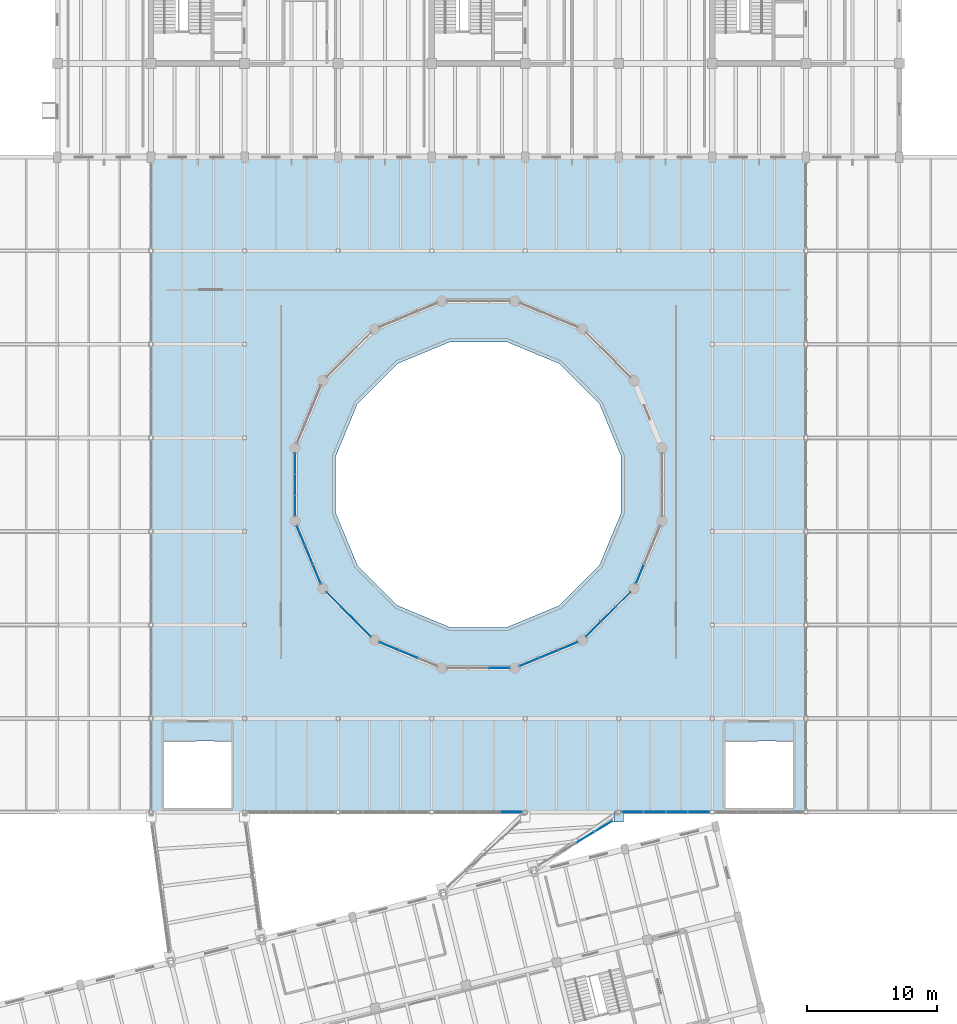
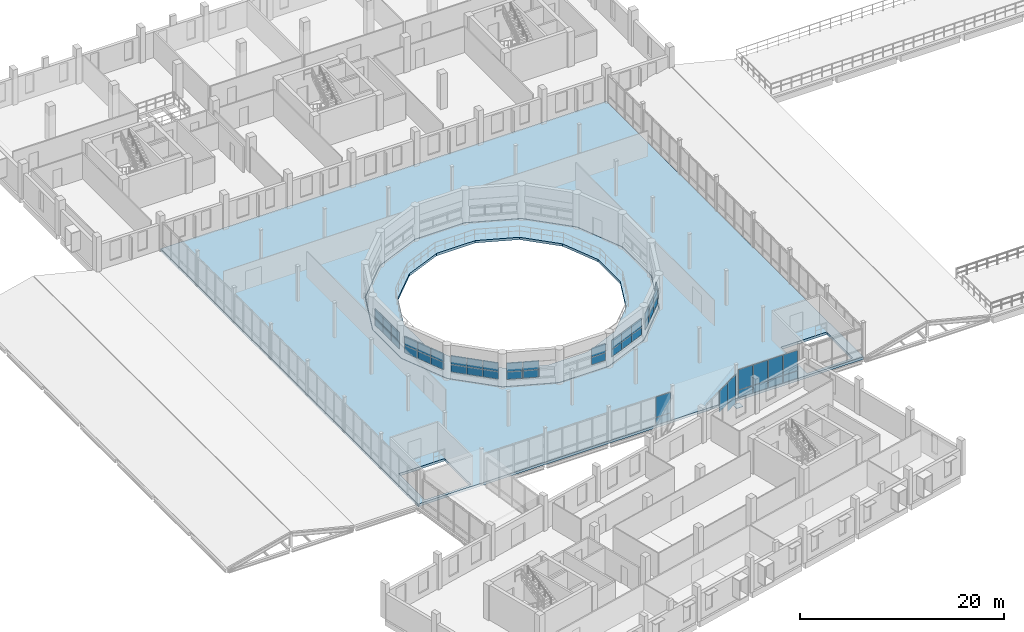
# One storey, part 40 of 63: 51 plates, 2 slabs, 11 elements without a shape of their own.
"""IFC4 building model written with IfcOpenShell, lengths in metres."""

from ifc_helpers import new_model, si_unit, direction, frame, frame_2d, origin, origin_2d, place, context, subcontext, project, spatial, polyline, rectangle, outline, extrude, material, layer, layer_set, type_object, element, aggregate, save


model = new_model("IFC4")

# Units and contexts
model_context = context("Model", 3, precision=1e-05, world=origin(), true_north=direction((0.0, 1.0)))
body_context = subcontext(model_context, "Body", "Model", "MODEL_VIEW")
ifc_project = project(units=[si_unit("LENGTHUNIT", "METRE"), si_unit("AREAUNIT", "SQUARE_METRE"), si_unit("VOLUMEUNIT", "CUBIC_METRE"), si_unit("PLANEANGLEUNIT", "RADIAN"), si_unit("MASSUNIT", "GRAM", prefix="KILO")], contexts=[model_context])

# Site, building, storey
site_placement = place(None, origin())
site = spatial("IfcSite", under=ifc_project, at=site_placement, CompositionType="ELEMENT")
building_placement = place(site_placement, origin())
building = spatial("IfcBuilding", under=site, at=building_placement, Name="Qiaolan Assembly House", CompositionType="ELEMENT")
storey_placement = place(building_placement, frame((0.0, 0.0, 14.39990234375)))
storey = spatial("IfcBuildingStorey", under=building, at=storey_placement, Name="L03", CompositionType="ELEMENT", Elevation=14.39990234375)

# Curtain wall, plates
ifc_material_1 = material(Name="Anodised bronze aluminium", Category="aluminium")
curtain_wall_type_1 = type_object("IfcCurtainWallType", Name="CW-BRIDGE-420", PredefinedType="NOTDEFINED", material=ifc_material_1)
curtain_wall_1_placement = place(storey_placement, origin())
curtain_wall_1 = element("IfcCurtainWall", 1, at=curtain_wall_1_placement, inside=storey, type_object=curtain_wall_type_1, Name="CW-03 Glazed Skybridge Curtain Wall EB L03 E", PredefinedType="NOTDEFINED")
ifc_material_2 = material(Name="Low-E double insulating glass", Category="glass")
ifc_layer_1 = layer(ifc_material_2, 0.030029296875)
ifc_layer_set_1 = layer_set([ifc_layer_1], Name="Low-E double insulating glass")
plate_type_1 = type_object("IfcPlateType", Name="CW-BRIDGE-420-PNL", PredefinedType="CURTAIN_PANEL", material=ifc_layer_set_1)
plate_1_placement = place(storey_placement, frame((78.701904296875, 35.30078125, 0.05615234375), z_axis=(0.0, 0.0, 1.0), x_axis=(-0.857069699362, -0.515200475965, 0.0)))
plate_1 = element("IfcPlate", 2, at=plate_1_placement, type_object=plate_type_1, Name="GL-04 glazing panel CW-BRIDGE-EB-L03-E-1", PredefinedType="CURTAIN_PANEL", context=body_context, shape_type="SweptSolid", body=[
    extrude(rectangle(XDim=1.578857421875, YDim=0.030029296875, at=frame_2d((0.78955078125, 0.0))), origin(), (0.0, 0.0, 1.0), 0.867919921875),
])
plate_2_placement = place(storey_placement, frame((78.701904296875, 35.30078125, 0.97607421875), z_axis=(0.0, 0.0, 1.0), x_axis=(-0.857069699362, -0.515200475965, 0.0)))
plate_2 = element("IfcPlate", 3, at=plate_2_placement, type_object=plate_type_1, Name="GL-04 glazing panel CW-BRIDGE-EB-L03-E-2", PredefinedType="CURTAIN_PANEL", context=body_context, shape_type="SweptSolid", body=[
    extrude(rectangle(XDim=1.578857421875, YDim=0.030029296875, at=frame_2d((0.78955078125, 0.0))), origin(), (0.0, 0.0, 1.0), 2.51806640625),
])
plate_3_placement = place(storey_placement, frame((77.29541015625, 34.455322265625, 0.97607421875), z_axis=(0.0, 0.0, 1.0), x_axis=(-0.857178991149, -0.515018618239, 0.0)))
plate_3 = element("IfcPlate", 4, at=plate_3_placement, type_object=plate_type_1, Name="GL-04 glazing panel CW-BRIDGE-EB-L03-E-4", PredefinedType="CURTAIN_PANEL", context=body_context, shape_type="SweptSolid", body=[
    extrude(rectangle(XDim=1.5791015625, YDim=0.030029296875, at=frame_2d((0.78955078125, 0.0))), origin(), (0.0, 0.0, 1.0), 2.51806640625),
])
aggregate(curtain_wall_1, [plate_1, plate_2, plate_3])

curtain_wall_type_2 = type_object("IfcCurtainWallType", Name="CW-DRUM-CLERESTORY", PredefinedType="NOTDEFINED", material=ifc_material_1)
curtain_wall_2_placement = place(storey_placement, origin())
curtain_wall_2 = element("IfcCurtainWall", 5, at=curtain_wall_2_placement, inside=storey, type_object=curtain_wall_type_2, Name="CW-06 Council Chamber Drum Clerestory Curtain Wall 8", PredefinedType="NOTDEFINED")
ifc_layer_2 = layer(ifc_material_2, 0.02392578125)
ifc_layer_set_2 = layer_set([ifc_layer_2], Name="Low-E double insulating glass")
plate_type_2 = type_object("IfcPlateType", Name="CW-DRUM-CLERESTORY-PNL", PredefinedType="CURTAIN_PANEL", material=ifc_layer_set_2)
plate_4_placement = place(storey_placement, frame((54.276611328125, 58.795654296875, 0.85107421875), z_axis=(0.0, 0.0, 1.0), x_axis=(0.0, 1.0, 0.0)))
plate_4 = element("IfcPlate", 6, at=plate_4_placement, type_object=plate_type_2, Name="GL-07 glazing panel CW-DRUM-CLER-07-1", PredefinedType="CURTAIN_PANEL", context=body_context, shape_type="SweptSolid", body=[
    extrude(rectangle(XDim=1.569580078125, YDim=0.02392578125, at=frame_2d((0.78466796875, 0.0))), origin(), (0.0, 0.0, 1.0), 0.8779296875),
])
plate_5_placement = place(storey_placement, frame((54.276611328125, 58.795654296875, 1.77099609375), z_axis=(0.0, 0.0, 1.0), x_axis=(0.0, 1.0, 0.0)))
plate_5 = element("IfcPlate", 7, at=plate_5_placement, type_object=plate_type_2, Name="GL-07 glazing panel CW-DRUM-CLER-07-2", PredefinedType="CURTAIN_PANEL", context=body_context, shape_type="SweptSolid", body=[
    extrude(rectangle(XDim=1.569580078125, YDim=0.02392578125, at=frame_2d((0.78466796875, 0.0))), origin(), (0.0, 0.0, 1.0), 1.078125),
])
plate_6_placement = place(storey_placement, frame((54.276611328125, 60.415283203125, 0.85107421875), z_axis=(0.0, 0.0, 1.0), x_axis=(0.0, 1.0, 0.0)))
plate_6 = element("IfcPlate", 8, at=plate_6_placement, type_object=plate_type_2, Name="GL-07 glazing panel CW-DRUM-CLER-07-3", PredefinedType="CURTAIN_PANEL", context=body_context, shape_type="SweptSolid", body=[
    extrude(rectangle(XDim=1.569580078125, YDim=0.02392578125, at=frame_2d((0.78466796875, 0.0))), origin(), (0.0, 0.0, 1.0), 0.8779296875),
])
plate_7_placement = place(storey_placement, frame((54.276611328125, 60.415283203125, 1.77099609375), z_axis=(0.0, 0.0, 1.0), x_axis=(0.0, 1.0, 0.0)))
plate_7 = element("IfcPlate", 9, at=plate_7_placement, type_object=plate_type_2, Name="GL-07 glazing panel CW-DRUM-CLER-07-4", PredefinedType="CURTAIN_PANEL", context=body_context, shape_type="SweptSolid", body=[
    extrude(rectangle(XDim=1.569580078125, YDim=0.02392578125, at=frame_2d((0.78466796875, 0.0))), origin(), (0.0, 0.0, 1.0), 1.078125),
])
plate_8_placement = place(storey_placement, frame((54.276611328125, 62.034912109375, 0.85107421875), z_axis=(0.0, 0.0, 1.0), x_axis=(0.0, 1.0, 0.0)))
plate_8 = element("IfcPlate", 10, at=plate_8_placement, type_object=plate_type_2, Name="GL-07 glazing panel CW-DRUM-CLER-07-5", PredefinedType="CURTAIN_PANEL", context=body_context, shape_type="SweptSolid", body=[
    extrude(rectangle(XDim=1.5693359375, YDim=0.02392578125, at=frame_2d((0.78466796875, 0.0))), origin(), (0.0, 0.0, 1.0), 0.8779296875),
])
plate_9_placement = place(storey_placement, frame((54.276611328125, 62.034912109375, 1.77099609375), z_axis=(0.0, 0.0, 1.0), x_axis=(0.0, 1.0, 0.0)))
plate_9 = element("IfcPlate", 11, at=plate_9_placement, type_object=plate_type_2, Name="GL-07 glazing panel CW-DRUM-CLER-07-6", PredefinedType="CURTAIN_PANEL", context=body_context, shape_type="SweptSolid", body=[
    extrude(rectangle(XDim=1.5693359375, YDim=0.02392578125, at=frame_2d((0.78466796875, 0.0))), origin(), (0.0, 0.0, 1.0), 1.078125),
])
aggregate(curtain_wall_2, [plate_4, plate_5, plate_6, plate_7, plate_8, plate_9])

curtain_wall_3_placement = place(storey_placement, origin())
curtain_wall_3 = element("IfcCurtainWall", 12, at=curtain_wall_3_placement, inside=storey, type_object=curtain_wall_type_2, Name="CW-06 Council Chamber Drum Clerestory Curtain Wall 9", PredefinedType="NOTDEFINED")
plate_10_placement = place(storey_placement, frame((56.27197265625, 53.573974609375, 0.85107421875), z_axis=(0.0, 0.0, 1.0), x_axis=(-0.382814295874, 0.923825316212, 0.0)))
plate_10 = element("IfcPlate", 13, at=plate_10_placement, type_object=plate_type_2, Name="GL-07 glazing panel CW-DRUM-CLER-08-1", PredefinedType="CURTAIN_PANEL", context=body_context, shape_type="SweptSolid", body=[
    extrude(rectangle(XDim=1.569580078125, YDim=0.02392578125, at=frame_2d((0.78466796875, 0.0))), origin(), (0.0, 0.0, 1.0), 0.8779296875),
])
plate_11_placement = place(storey_placement, frame((56.27197265625, 53.573974609375, 1.77099609375), z_axis=(0.0, 0.0, 1.0), x_axis=(-0.382814295874, 0.923825316212, 0.0)))
plate_11 = element("IfcPlate", 14, at=plate_11_placement, type_object=plate_type_2, Name="GL-07 glazing panel CW-DRUM-CLER-08-2", PredefinedType="CURTAIN_PANEL", context=body_context, shape_type="SweptSolid", body=[
    extrude(rectangle(XDim=1.569580078125, YDim=0.02392578125, at=frame_2d((0.78466796875, 0.0))), origin(), (0.0, 0.0, 1.0), 1.078125),
])
plate_12_placement = place(storey_placement, frame((55.652099609375, 55.070068359375, 0.85107421875), z_axis=(0.0, 0.0, 1.0), x_axis=(-0.382626535499, 0.923903097912, 0.0)))
plate_12 = element("IfcPlate", 15, at=plate_12_placement, type_object=plate_type_2, Name="GL-07 glazing panel CW-DRUM-CLER-08-3", PredefinedType="CURTAIN_PANEL", context=body_context, shape_type="SweptSolid", body=[
    extrude(rectangle(XDim=1.569580078125, YDim=0.02392578125, at=frame_2d((0.78466796875, 0.0))), origin(), (0.0, 0.0, 1.0), 0.8779296875),
])
plate_13_placement = place(storey_placement, frame((55.652099609375, 55.070068359375, 1.77099609375), z_axis=(0.0, 0.0, 1.0), x_axis=(-0.382626535499, 0.923903097912, 0.0)))
plate_13 = element("IfcPlate", 16, at=plate_13_placement, type_object=plate_type_2, Name="GL-07 glazing panel CW-DRUM-CLER-08-4", PredefinedType="CURTAIN_PANEL", context=body_context, shape_type="SweptSolid", body=[
    extrude(rectangle(XDim=1.569580078125, YDim=0.02392578125, at=frame_2d((0.78466796875, 0.0))), origin(), (0.0, 0.0, 1.0), 1.078125),
])
plate_14_placement = place(storey_placement, frame((55.0322265625, 56.56640625, 0.85107421875), z_axis=(0.0, 0.0, 1.0), x_axis=(-0.382626535499, 0.923903097912, 0.0)))
plate_14 = element("IfcPlate", 17, at=plate_14_placement, type_object=plate_type_2, Name="GL-07 glazing panel CW-DRUM-CLER-08-5", PredefinedType="CURTAIN_PANEL", context=body_context, shape_type="SweptSolid", body=[
    extrude(rectangle(XDim=1.569580078125, YDim=0.02392578125, at=frame_2d((0.78466796875, 0.0))), origin(), (0.0, 0.0, 1.0), 0.8779296875),
])
plate_15_placement = place(storey_placement, frame((55.0322265625, 56.56640625, 1.77099609375), z_axis=(0.0, 0.0, 1.0), x_axis=(-0.382626535499, 0.923903097912, 0.0)))
plate_15 = element("IfcPlate", 18, at=plate_15_placement, type_object=plate_type_2, Name="GL-07 glazing panel CW-DRUM-CLER-08-6", PredefinedType="CURTAIN_PANEL", context=body_context, shape_type="SweptSolid", body=[
    extrude(rectangle(XDim=1.569580078125, YDim=0.02392578125, at=frame_2d((0.78466796875, 0.0))), origin(), (0.0, 0.0, 1.0), 1.078125),
])
aggregate(curtain_wall_3, [plate_10, plate_11, plate_12, plate_13, plate_14, plate_15])

curtain_wall_4_placement = place(storey_placement, origin())
curtain_wall_4 = element("IfcCurtainWall", 19, at=curtain_wall_4_placement, inside=storey, type_object=curtain_wall_type_2, Name="CW-06 Council Chamber Drum Clerestory Curtain Wall 10", PredefinedType="NOTDEFINED")
plate_16_placement = place(storey_placement, frame((60.113525390625, 49.51318359375, 0.85107421875), z_axis=(0.0, 0.0, 1.0), x_axis=(-0.707106781187, 0.707106781187, 0.0)))
plate_16 = element("IfcPlate", 20, at=plate_16_placement, type_object=plate_type_2, Name="GL-07 glazing panel CW-DRUM-CLER-09-1", PredefinedType="CURTAIN_PANEL", context=body_context, shape_type="SweptSolid", body=[
    extrude(rectangle(XDim=1.569580078125, YDim=0.02392578125, at=frame_2d((0.78466796875, 0.0))), origin(), (0.0, 0.0, 1.0), 0.8779296875),
])
plate_17_placement = place(storey_placement, frame((60.113525390625, 49.51318359375, 1.77099609375), z_axis=(0.0, 0.0, 1.0), x_axis=(-0.707106781187, 0.707106781187, 0.0)))
plate_17 = element("IfcPlate", 21, at=plate_17_placement, type_object=plate_type_2, Name="GL-07 glazing panel CW-DRUM-CLER-09-2", PredefinedType="CURTAIN_PANEL", context=body_context, shape_type="SweptSolid", body=[
    extrude(rectangle(XDim=1.569580078125, YDim=0.02392578125, at=frame_2d((0.78466796875, 0.0))), origin(), (0.0, 0.0, 1.0), 1.078125),
])
plate_18_placement = place(storey_placement, frame((58.96826171875, 50.658447265625, 0.85107421875), z_axis=(0.0, 0.0, 1.0), x_axis=(-0.707106781187, 0.707106781187, 0.0)))
plate_18 = element("IfcPlate", 22, at=plate_18_placement, type_object=plate_type_2, Name="GL-07 glazing panel CW-DRUM-CLER-09-3", PredefinedType="CURTAIN_PANEL", context=body_context, shape_type="SweptSolid", body=[
    extrude(rectangle(XDim=1.569580078125, YDim=0.02392578125, at=frame_2d((0.78466796875, 0.0))), origin(), (0.0, 0.0, 1.0), 0.8779296875),
])
plate_19_placement = place(storey_placement, frame((58.96826171875, 50.658447265625, 1.77099609375), z_axis=(0.0, 0.0, 1.0), x_axis=(-0.707106781187, 0.707106781187, 0.0)))
plate_19 = element("IfcPlate", 23, at=plate_19_placement, type_object=plate_type_2, Name="GL-07 glazing panel CW-DRUM-CLER-09-4", PredefinedType="CURTAIN_PANEL", context=body_context, shape_type="SweptSolid", body=[
    extrude(rectangle(XDim=1.569580078125, YDim=0.02392578125, at=frame_2d((0.78466796875, 0.0))), origin(), (0.0, 0.0, 1.0), 1.078125),
])
plate_20_placement = place(storey_placement, frame((57.822998046875, 51.8037109375, 0.85107421875), z_axis=(0.0, 0.0, 1.0), x_axis=(-0.707184557876, 0.707028995941, 0.0)))
plate_20 = element("IfcPlate", 24, at=plate_20_placement, type_object=plate_type_2, Name="GL-07 glazing panel CW-DRUM-CLER-09-5", PredefinedType="CURTAIN_PANEL", context=body_context, shape_type="SweptSolid", body=[
    extrude(rectangle(XDim=1.5693359375, YDim=0.02392578125, at=frame_2d((0.78466796875, 0.0))), origin(), (0.0, 0.0, 1.0), 0.8779296875),
])
plate_21_placement = place(storey_placement, frame((57.822998046875, 51.8037109375, 1.77099609375), z_axis=(0.0, 0.0, 1.0), x_axis=(-0.707184557876, 0.707028995941, 0.0)))
plate_21 = element("IfcPlate", 25, at=plate_21_placement, type_object=plate_type_2, Name="GL-07 glazing panel CW-DRUM-CLER-09-6", PredefinedType="CURTAIN_PANEL", context=body_context, shape_type="SweptSolid", body=[
    extrude(rectangle(XDim=1.5693359375, YDim=0.02392578125, at=frame_2d((0.78466796875, 0.0))), origin(), (0.0, 0.0, 1.0), 1.078125),
])
aggregate(curtain_wall_4, [plate_16, plate_17, plate_18, plate_19, plate_20, plate_21])

curtain_wall_5_placement = place(storey_placement, origin())
curtain_wall_5 = element("IfcCurtainWall", 26, at=curtain_wall_5_placement, inside=storey, type_object=curtain_wall_type_2, Name="CW-06 Council Chamber Drum Clerestory Curtain Wall 11", PredefinedType="NOTDEFINED")
plate_22_placement = place(storey_placement, frame((63.72021484375, 47.851318359375, 0.85107421875), z_axis=(0.0, 0.0, 1.0), x_axis=(-0.923825316212, 0.382814295874, 0.0)))
plate_22 = element("IfcPlate", 27, at=plate_22_placement, type_object=plate_type_2, Name="GL-07 glazing panel CW-DRUM-CLER-10-3", PredefinedType="CURTAIN_PANEL", context=body_context, shape_type="SweptSolid", body=[
    extrude(rectangle(XDim=1.569580078125, YDim=0.02392578125, at=frame_2d((0.78466796875, 0.0))), origin(), (0.0, 0.0, 1.0), 0.8779296875),
])
plate_23_placement = place(storey_placement, frame((63.72021484375, 47.851318359375, 1.77099609375), z_axis=(0.0, 0.0, 1.0), x_axis=(-0.923825316212, 0.382814295874, 0.0)))
plate_23 = element("IfcPlate", 28, at=plate_23_placement, type_object=plate_type_2, Name="GL-07 glazing panel CW-DRUM-CLER-10-4", PredefinedType="CURTAIN_PANEL", context=body_context, shape_type="SweptSolid", body=[
    extrude(rectangle(XDim=1.569580078125, YDim=0.02392578125, at=frame_2d((0.78466796875, 0.0))), origin(), (0.0, 0.0, 1.0), 1.078125),
])
plate_24_placement = place(storey_placement, frame((62.223876953125, 48.47119140625, 0.85107421875), z_axis=(0.0, 0.0, 1.0), x_axis=(-0.923880321581, 0.382681527377, 0.0)))
plate_24 = element("IfcPlate", 29, at=plate_24_placement, type_object=plate_type_2, Name="GL-07 glazing panel CW-DRUM-CLER-10-5", PredefinedType="CURTAIN_PANEL", context=body_context, shape_type="SweptSolid", body=[
    extrude(rectangle(XDim=1.5693359375, YDim=0.02392578125, at=frame_2d((0.78466796875, 0.0))), origin(), (0.0, 0.0, 1.0), 0.8779296875),
])
plate_25_placement = place(storey_placement, frame((62.223876953125, 48.47119140625, 1.77099609375), z_axis=(0.0, 0.0, 1.0), x_axis=(-0.923880321581, 0.382681527377, 0.0)))
plate_25 = element("IfcPlate", 30, at=plate_25_placement, type_object=plate_type_2, Name="GL-07 glazing panel CW-DRUM-CLER-10-6", PredefinedType="CURTAIN_PANEL", context=body_context, shape_type="SweptSolid", body=[
    extrude(rectangle(XDim=1.5693359375, YDim=0.02392578125, at=frame_2d((0.78466796875, 0.0))), origin(), (0.0, 0.0, 1.0), 1.078125),
])
aggregate(curtain_wall_5, [plate_22, plate_23, plate_24, plate_25])

curtain_wall_6_placement = place(storey_placement, origin())
curtain_wall_6 = element("IfcCurtainWall", 31, at=curtain_wall_6_placement, inside=storey, type_object=curtain_wall_type_2, Name="CW-06 Council Chamber Drum Clerestory Curtain Wall 12", PredefinedType="NOTDEFINED")
plate_26_placement = place(storey_placement, frame((70.80419921875, 47.07666015625, 0.85107421875), z_axis=(0.0, 0.0, 1.0), x_axis=(-1.0, 0.0, 0.0)))
plate_26 = element("IfcPlate", 32, at=plate_26_placement, type_object=plate_type_2, Name="GL-07 glazing panel CW-DRUM-CLER-11-1", PredefinedType="CURTAIN_PANEL", context=body_context, shape_type="SweptSolid", body=[
    extrude(rectangle(XDim=1.5693359375, YDim=0.02392578125, at=frame_2d((0.78466796875, 0.0))), origin(), (0.0, 0.0, 1.0), 0.8779296875),
])
plate_27_placement = place(storey_placement, frame((70.80419921875, 47.07666015625, 1.77099609375), z_axis=(0.0, 0.0, 1.0), x_axis=(-1.0, 0.0, 0.0)))
plate_27 = element("IfcPlate", 33, at=plate_27_placement, type_object=plate_type_2, Name="GL-07 glazing panel CW-DRUM-CLER-11-2", PredefinedType="CURTAIN_PANEL", context=body_context, shape_type="SweptSolid", body=[
    extrude(rectangle(XDim=1.5693359375, YDim=0.02392578125, at=frame_2d((0.78466796875, 0.0))), origin(), (0.0, 0.0, 1.0), 1.078125),
])
aggregate(curtain_wall_6, [plate_26, plate_27])

curtain_wall_7_placement = place(storey_placement, origin())
curtain_wall_7 = element("IfcCurtainWall", 34, at=curtain_wall_7_placement, inside=storey, type_object=curtain_wall_type_2, Name="CW-06 Council Chamber Drum Clerestory Curtain Wall 13", PredefinedType="NOTDEFINED")
plate_28_placement = place(storey_placement, frame((76.026123046875, 49.07177734375, 0.85107421875), z_axis=(0.0, 0.0, 1.0), x_axis=(-0.923903097912, -0.382626535499, 0.0)))
plate_28 = element("IfcPlate", 35, at=plate_28_placement, type_object=plate_type_2, Name="GL-07 glazing panel CW-DRUM-CLER-12-1", PredefinedType="CURTAIN_PANEL", context=body_context, shape_type="SweptSolid", body=[
    extrude(rectangle(XDim=1.569580078125, YDim=0.02392578125, at=frame_2d((0.78466796875, 0.0))), origin(), (0.0, 0.0, 1.0), 0.8779296875),
])
plate_29_placement = place(storey_placement, frame((76.026123046875, 49.07177734375, 1.77099609375), z_axis=(0.0, 0.0, 1.0), x_axis=(-0.923903097912, -0.382626535499, 0.0)))
plate_29 = element("IfcPlate", 36, at=plate_29_placement, type_object=plate_type_2, Name="GL-07 glazing panel CW-DRUM-CLER-12-2", PredefinedType="CURTAIN_PANEL", context=body_context, shape_type="SweptSolid", body=[
    extrude(rectangle(XDim=1.569580078125, YDim=0.02392578125, at=frame_2d((0.78466796875, 0.0))), origin(), (0.0, 0.0, 1.0), 1.078125),
])
plate_30_placement = place(storey_placement, frame((74.52978515625, 48.4521484375, 0.85107421875), z_axis=(0.0, 0.0, 1.0), x_axis=(-0.923848106994, -0.382759291467, 0.0)))
plate_30 = element("IfcPlate", 37, at=plate_30_placement, type_object=plate_type_2, Name="GL-07 glazing panel CW-DRUM-CLER-12-3", PredefinedType="CURTAIN_PANEL", context=body_context, shape_type="SweptSolid", body=[
    extrude(rectangle(XDim=1.56982421875, YDim=0.02392578125, at=frame_2d((0.784912109375, 0.0))), origin(), (0.0, 0.0, 1.0), 0.8779296875),
])
plate_31_placement = place(storey_placement, frame((74.52978515625, 48.4521484375, 1.77099609375), z_axis=(0.0, 0.0, 1.0), x_axis=(-0.923848106994, -0.382759291467, 0.0)))
plate_31 = element("IfcPlate", 38, at=plate_31_placement, type_object=plate_type_2, Name="GL-07 glazing panel CW-DRUM-CLER-12-4", PredefinedType="CURTAIN_PANEL", context=body_context, shape_type="SweptSolid", body=[
    extrude(rectangle(XDim=1.56982421875, YDim=0.02392578125, at=frame_2d((0.784912109375, 0.0))), origin(), (0.0, 0.0, 1.0), 1.078125),
])
plate_32_placement = place(storey_placement, frame((73.033447265625, 47.832275390625, 0.85107421875), z_axis=(0.0, 0.0, 1.0), x_axis=(-0.923880321581, -0.382681527377, 0.0)))
plate_32 = element("IfcPlate", 39, at=plate_32_placement, type_object=plate_type_2, Name="GL-07 glazing panel CW-DRUM-CLER-12-5", PredefinedType="CURTAIN_PANEL", context=body_context, shape_type="SweptSolid", body=[
    extrude(rectangle(XDim=1.5693359375, YDim=0.02392578125, at=frame_2d((0.78466796875, 0.0))), origin(), (0.0, 0.0, 1.0), 0.8779296875),
])
plate_33_placement = place(storey_placement, frame((73.033447265625, 47.832275390625, 1.77099609375), z_axis=(0.0, 0.0, 1.0), x_axis=(-0.923880321581, -0.382681527377, 0.0)))
plate_33 = element("IfcPlate", 40, at=plate_33_placement, type_object=plate_type_2, Name="GL-07 glazing panel CW-DRUM-CLER-12-6", PredefinedType="CURTAIN_PANEL", context=body_context, shape_type="SweptSolid", body=[
    extrude(rectangle(XDim=1.5693359375, YDim=0.02392578125, at=frame_2d((0.78466796875, 0.0))), origin(), (0.0, 0.0, 1.0), 1.078125),
])
aggregate(curtain_wall_7, [plate_28, plate_29, plate_30, plate_31, plate_32, plate_33])

curtain_wall_8_placement = place(storey_placement, origin())
curtain_wall_8 = element("IfcCurtainWall", 41, at=curtain_wall_8_placement, inside=storey, type_object=curtain_wall_type_2, Name="CW-06 Council Chamber Drum Clerestory Curtain Wall 14", PredefinedType="NOTDEFINED")
plate_34_placement = place(storey_placement, frame((80.086669921875, 52.913330078125, 0.85107421875), z_axis=(0.0, 0.0, 1.0), x_axis=(-0.707106781187, -0.707106781187, 0.0)))
plate_34 = element("IfcPlate", 42, at=plate_34_placement, type_object=plate_type_2, Name="GL-07 glazing panel CW-DRUM-CLER-13-1", PredefinedType="CURTAIN_PANEL", context=body_context, shape_type="SweptSolid", body=[
    extrude(rectangle(XDim=1.5693359375, YDim=0.02392578125, at=frame_2d((0.78466796875, 0.0))), origin(), (0.0, 0.0, 1.0), 0.8779296875),
])
plate_35_placement = place(storey_placement, frame((80.086669921875, 52.913330078125, 1.77099609375), z_axis=(0.0, 0.0, 1.0), x_axis=(-0.707106781187, -0.707106781187, 0.0)))
plate_35 = element("IfcPlate", 43, at=plate_35_placement, type_object=plate_type_2, Name="GL-07 glazing panel CW-DRUM-CLER-13-2", PredefinedType="CURTAIN_PANEL", context=body_context, shape_type="SweptSolid", body=[
    extrude(rectangle(XDim=1.5693359375, YDim=0.02392578125, at=frame_2d((0.78466796875, 0.0))), origin(), (0.0, 0.0, 1.0), 1.078125),
])
plate_36_placement = place(storey_placement, frame((78.941650390625, 51.768310546875, 0.85107421875), z_axis=(0.0, 0.0, 1.0), x_axis=(-0.707106781187, -0.707106781187, 0.0)))
plate_36 = element("IfcPlate", 44, at=plate_36_placement, type_object=plate_type_2, Name="GL-07 glazing panel CW-DRUM-CLER-13-3", PredefinedType="CURTAIN_PANEL", context=body_context, shape_type="SweptSolid", body=[
    extrude(rectangle(XDim=1.569580078125, YDim=0.02392578125, at=frame_2d((0.78466796875, 0.0))), origin(), (0.0, 0.0, 1.0), 0.8779296875),
])
plate_37_placement = place(storey_placement, frame((78.941650390625, 51.768310546875, 1.77099609375), z_axis=(0.0, 0.0, 1.0), x_axis=(-0.707106781187, -0.707106781187, 0.0)))
plate_37 = element("IfcPlate", 45, at=plate_37_placement, type_object=plate_type_2, Name="GL-07 glazing panel CW-DRUM-CLER-13-4", PredefinedType="CURTAIN_PANEL", context=body_context, shape_type="SweptSolid", body=[
    extrude(rectangle(XDim=1.569580078125, YDim=0.02392578125, at=frame_2d((0.78466796875, 0.0))), origin(), (0.0, 0.0, 1.0), 1.078125),
])
plate_38_placement = place(storey_placement, frame((77.79638671875, 50.623046875, 0.85107421875), z_axis=(0.0, 0.0, 1.0), x_axis=(-0.707106781187, -0.707106781187, 0.0)))
plate_38 = element("IfcPlate", 46, at=plate_38_placement, type_object=plate_type_2, Name="GL-07 glazing panel CW-DRUM-CLER-13-5", PredefinedType="CURTAIN_PANEL", context=body_context, shape_type="SweptSolid", body=[
    extrude(rectangle(XDim=1.569580078125, YDim=0.02392578125, at=frame_2d((0.78466796875, 0.0))), origin(), (0.0, 0.0, 1.0), 0.8779296875),
])
plate_39_placement = place(storey_placement, frame((77.79638671875, 50.623046875, 1.77099609375), z_axis=(0.0, 0.0, 1.0), x_axis=(-0.707106781187, -0.707106781187, 0.0)))
plate_39 = element("IfcPlate", 47, at=plate_39_placement, type_object=plate_type_2, Name="GL-07 glazing panel CW-DRUM-CLER-13-6", PredefinedType="CURTAIN_PANEL", context=body_context, shape_type="SweptSolid", body=[
    extrude(rectangle(XDim=1.569580078125, YDim=0.02392578125, at=frame_2d((0.78466796875, 0.0))), origin(), (0.0, 0.0, 1.0), 1.078125),
])
aggregate(curtain_wall_8, [plate_34, plate_35, plate_36, plate_37, plate_38, plate_39])

# Curtain wall, plate
curtain_wall_9_placement = place(storey_placement, origin())
curtain_wall_9 = element("IfcCurtainWall", 48, at=curtain_wall_9_placement, inside=storey, type_object=curtain_wall_type_2, Name="CW-06 Council Chamber Drum Clerestory Curtain Wall 15", PredefinedType="NOTDEFINED")
plate_40_placement = place(storey_placement, frame((81.128662109375, 55.02392578125, 0.85107421875), z_axis=(0.0, 0.0, 1.0), x_axis=(-0.382681527377, -0.923880321581, 0.0)))
plate_40 = element("IfcPlate", 49, at=plate_40_placement, type_object=plate_type_2, Name="GL-07 glazing panel CW-DRUM-CLER-14-5", PredefinedType="CURTAIN_PANEL", context=body_context, shape_type="SweptSolid", body=[
    extrude(rectangle(XDim=1.5693359375, YDim=0.02392578125, at=frame_2d((0.78466796875, 0.0))), origin(), (0.0, 0.0, 1.0), 0.8779296875),
])
aggregate(curtain_wall_9, [plate_40])

# Curtain wall, plates
curtain_wall_type_3 = type_object("IfcCurtainWallType", Name="CW-HALL-CONC-420", PredefinedType="NOTDEFINED", material=ifc_material_1)
curtain_wall_10_placement = place(storey_placement, origin())
curtain_wall_10 = element("IfcCurtainWall", 50, at=curtain_wall_10_placement, inside=storey, type_object=curtain_wall_type_3, Name="CW-07 L03 Concourse South CW 4", PredefinedType="NOTDEFINED")
ifc_layer_3 = layer(ifc_material_2, 0.031005859375)
ifc_layer_set_3 = layer_set([ifc_layer_3], Name="Low-E double insulating glass")
plate_type_3 = type_object("IfcPlateType", Name="CW-HALL-CONC-420-PNL", PredefinedType="CURTAIN_PANEL", material=ifc_layer_set_3)
plate_41_placement = place(storey_placement, frame((70.1279296875, 36.0, 0.05810546875), z_axis=(0.0, 0.0, 1.0), x_axis=(1.0, 0.0, 0.0)))
plate_41 = element("IfcPlate", 51, at=plate_41_placement, type_object=plate_type_3, Name="GL-03 glazing panel CW-HLC-S-03-7", PredefinedType="CURTAIN_PANEL", context=body_context, shape_type="SweptSolid", body=[
    extrude(rectangle(XDim=1.629150390625, YDim=0.031005859375, at=frame_2d((0.814453125, 0.0))), origin(), (0.0, 0.0, 1.0), 0.864013671875),
])
plate_42_placement = place(storey_placement, frame((70.1279296875, 36.0, 0.97802734375), z_axis=(0.0, 0.0, 1.0), x_axis=(1.0, 0.0, 0.0)))
plate_42 = element("IfcPlate", 52, at=plate_42_placement, type_object=plate_type_3, Name="GL-03 glazing panel CW-HLC-S-03-8", PredefinedType="CURTAIN_PANEL", context=body_context, shape_type="SweptSolid", body=[
    extrude(rectangle(XDim=1.629150390625, YDim=0.031005859375, at=frame_2d((0.814453125, 0.0))), origin(), (0.0, 0.0, 1.0), 2.4140625),
])
aggregate(curtain_wall_10, [plate_41, plate_42])

curtain_wall_11_placement = place(storey_placement, origin())
curtain_wall_11 = element("IfcCurtainWall", 53, at=curtain_wall_11_placement, inside=storey, type_object=curtain_wall_type_3, Name="CW-07 L03 Concourse South CW 6", PredefinedType="NOTDEFINED")
plate_43_placement = place(storey_placement, frame((79.443115234375, 36.0, 0.05810546875), z_axis=(0.0, 0.0, 1.0), x_axis=(1.0, 0.0, 0.0)))
plate_43 = element("IfcPlate", 54, at=plate_43_placement, type_object=plate_type_3, Name="GL-03 glazing panel CW-HLC-S-05-1", PredefinedType="CURTAIN_PANEL", context=body_context, shape_type="SweptSolid", body=[
    extrude(rectangle(XDim=1.62890625, YDim=0.031005859375, at=frame_2d((0.814453125, 0.0))), origin(), (0.0, 0.0, 1.0), 0.864013671875),
])
plate_44_placement = place(storey_placement, frame((79.443115234375, 36.0, 0.97802734375), z_axis=(0.0, 0.0, 1.0), x_axis=(1.0, 0.0, 0.0)))
plate_44 = element("IfcPlate", 55, at=plate_44_placement, type_object=plate_type_3, Name="GL-03 glazing panel CW-HLC-S-05-2", PredefinedType="CURTAIN_PANEL", context=body_context, shape_type="SweptSolid", body=[
    extrude(rectangle(XDim=1.62890625, YDim=0.031005859375, at=frame_2d((0.814453125, 0.0))), origin(), (0.0, 0.0, 1.0), 2.4140625),
])
plate_45_placement = place(storey_placement, frame((81.137939453125, 36.0, 0.05810546875), z_axis=(0.0, 0.0, 1.0), x_axis=(1.0, 0.0, 0.0)))
plate_45 = element("IfcPlate", 56, at=plate_45_placement, type_object=plate_type_3, Name="GL-03 glazing panel CW-HLC-S-05-3", PredefinedType="CURTAIN_PANEL", context=body_context, shape_type="SweptSolid", body=[
    extrude(rectangle(XDim=1.629150390625, YDim=0.031005859375, at=frame_2d((0.814453125, 0.0))), origin(), (0.0, 0.0, 1.0), 0.864013671875),
])
plate_46_placement = place(storey_placement, frame((81.137939453125, 36.0, 0.97802734375), z_axis=(0.0, 0.0, 1.0), x_axis=(1.0, 0.0, 0.0)))
plate_46 = element("IfcPlate", 57, at=plate_46_placement, type_object=plate_type_3, Name="GL-03 glazing panel CW-HLC-S-05-4", PredefinedType="CURTAIN_PANEL", context=body_context, shape_type="SweptSolid", body=[
    extrude(rectangle(XDim=1.629150390625, YDim=0.031005859375, at=frame_2d((0.814453125, 0.0))), origin(), (0.0, 0.0, 1.0), 2.4140625),
])
plate_47_placement = place(storey_placement, frame((82.8330078125, 36.0, 0.05810546875), z_axis=(0.0, 0.0, 1.0), x_axis=(1.0, 0.0, 0.0)))
plate_47 = element("IfcPlate", 58, at=plate_47_placement, type_object=plate_type_3, Name="GL-03 glazing panel CW-HLC-S-05-5", PredefinedType="CURTAIN_PANEL", context=body_context, shape_type="SweptSolid", body=[
    extrude(rectangle(XDim=1.62890625, YDim=0.031005859375, at=frame_2d((0.814453125, 0.0))), origin(), (0.0, 0.0, 1.0), 0.864013671875),
])
plate_48_placement = place(storey_placement, frame((82.8330078125, 36.0, 0.97802734375), z_axis=(0.0, 0.0, 1.0), x_axis=(1.0, 0.0, 0.0)))
plate_48 = element("IfcPlate", 59, at=plate_48_placement, type_object=plate_type_3, Name="GL-03 glazing panel CW-HLC-S-05-6", PredefinedType="CURTAIN_PANEL", context=body_context, shape_type="SweptSolid", body=[
    extrude(rectangle(XDim=1.62890625, YDim=0.031005859375, at=frame_2d((0.814453125, 0.0))), origin(), (0.0, 0.0, 1.0), 2.4140625),
])
plate_49_placement = place(storey_placement, frame((84.528076171875, 36.0, 0.05810546875), z_axis=(0.0, 0.0, 1.0), x_axis=(1.0, 0.0, 0.0)))
plate_49 = element("IfcPlate", 60, at=plate_49_placement, type_object=plate_type_3, Name="GL-03 glazing panel CW-HLC-S-05-7", PredefinedType="CURTAIN_PANEL", context=body_context, shape_type="SweptSolid", body=[
    extrude(rectangle(XDim=1.62890625, YDim=0.031005859375, at=frame_2d((0.814453125, 0.0))), origin(), (0.0, 0.0, 1.0), 0.864013671875),
])
plate_50_placement = place(storey_placement, frame((84.528076171875, 36.0, 0.97802734375), z_axis=(0.0, 0.0, 1.0), x_axis=(1.0, 0.0, 0.0)))
plate_50 = element("IfcPlate", 61, at=plate_50_placement, type_object=plate_type_3, Name="GL-03 glazing panel CW-HLC-S-05-8", PredefinedType="CURTAIN_PANEL", context=body_context, shape_type="SweptSolid", body=[
    extrude(rectangle(XDim=1.62890625, YDim=0.031005859375, at=frame_2d((0.814453125, 0.0))), origin(), (0.0, 0.0, 1.0), 2.4140625),
])
aggregate(curtain_wall_11, [plate_43, plate_44, plate_45, plate_46, plate_47, plate_48, plate_49, plate_50])

# Plate
ifc_material_3 = material(Name="Steel Q355B", Category="steel")
ifc_layer_4 = layer(ifc_material_3, 0.02490234375)
ifc_layer_set_4 = layer_set([ifc_layer_4], Name="Steel Q355B")
plate_type_4 = type_object("IfcPlateType", Name="PLT-SEAT-PTFE-450", PredefinedType="SHEET", material=ifc_layer_set_4)
plate_51_placement = place(storey_placement, frame((79.199951171875, 35.625, -0.61181640625), z_axis=(0.0, 0.0, 1.0), x_axis=(1.0, 0.0, 0.0)))
element("IfcPlate", 62, at=plate_51_placement, inside=storey, type_object=plate_type_4, Name="NP-03 Hall bridge 750mm steel seat shelf EB L03", PredefinedType="SHEET", context=body_context, shape_type="SweptSolid", body=[
    extrude(rectangle(XDim=0.75, YDim=0.75, at=origin_2d()), origin(), (0.0, 0.0, 1.0), 0.035888671875),
])

# Slabs
ifc_material_4 = material(Name="Concrete C45/55", Category="concrete")
ifc_layer_5 = layer(ifc_material_4, 0.2900390625)
ifc_layer_set_5 = layer_set([ifc_layer_5], Name="Concrete C45/55")
slab_type_1 = type_object("IfcSlabType", Name="SLB-CHAMBER-290", PredefinedType="FLOOR", material=ifc_layer_set_5)
slab_1_placement = place(storey_placement, frame((0.0, 0.0, -0.289794921875)))
element("IfcSlab", 63, at=slab_1_placement, inside=storey, type_object=slab_type_1, Name="FS-03 Council Chamber Gallery Ring Slab L03", PredefinedType="FLOOR", context=body_context, shape_type="SweptSolid", body=[
    extrude(outline(polyline([(82.523193359375, 64.00927734375), (80.373046875, 69.2001953125), (76.400146484375, 73.173095703125), (71.209228515625, 75.3232421875), (65.5908203125, 75.3232421875), (60.39990234375, 73.173095703125), (56.4267578125, 69.2001953125), (54.276611328125, 64.00927734375), (54.276611328125, 58.390625), (56.4267578125, 53.19970703125), (60.39990234375, 49.226806640625), (65.5908203125, 47.07666015625), (71.209228515625, 47.07666015625), (76.400146484375, 49.226806640625), (80.373046875, 53.19970703125), (82.523193359375, 58.390625), (82.523193359375, 64.00927734375)]), holes=[polyline([(79.384765625, 59.014892578125), (77.71240234375, 54.9775390625), (74.622314453125, 51.887451171875), (70.5849609375, 50.215087890625), (66.215087890625, 50.215087890625), (62.177734375, 51.887451171875), (59.087646484375, 54.9775390625), (57.415283203125, 59.014892578125), (57.415283203125, 63.385009765625), (59.087646484375, 67.42236328125), (62.177734375, 70.512451171875), (66.215087890625, 72.184814453125), (70.5849609375, 72.184814453125), (74.622314453125, 70.512451171875), (77.71240234375, 67.42236328125), (79.384765625, 63.385009765625), (79.384765625, 59.014892578125)])]), origin(), (0.0, 0.0, 1.0), 0.289794921875),
])
ifc_layer_6 = layer(ifc_material_4, 0.300048828125)
ifc_layer_set_6 = layer_set([ifc_layer_6], Name="Concrete C45/55")
slab_type_2 = type_object("IfcSlabType", Name="SLB-HALL-300", PredefinedType="FLOOR", material=ifc_layer_set_6)
slab_2_placement = place(storey_placement, frame((0.0, 0.0, -0.2998046875)))
element("IfcSlab", 64, at=slab_2_placement, inside=storey, type_object=slab_type_2, Name="FS-02 L03 Upper Skybridge & Drum Concourse Slab", PredefinedType="FLOOR", context=body_context, shape_type="SweptSolid", body=[
    extrude(outline(polyline([(43.199951171875, 36.0), (93.60009765625, 36.0), (93.60009765625, 86.39990234375), (43.199951171875, 86.39990234375), (43.199951171875, 36.0)]), holes=[polyline([(82.54296875, 58.38671875), (80.389892578125, 53.188720703125), (76.411376953125, 49.210205078125), (71.213134765625, 47.05712890625), (65.5869140625, 47.05712890625), (60.388671875, 49.210205078125), (56.41015625, 53.188720703125), (54.257080078125, 58.38671875), (54.257080078125, 64.01318359375), (56.41015625, 69.21142578125), (60.388671875, 73.189697265625), (65.5869140625, 75.343017578125), (71.213134765625, 75.343017578125), (76.411376953125, 73.189697265625), (80.389892578125, 69.21142578125), (82.54296875, 64.01318359375), (82.54296875, 58.38671875)]), polyline([(44.199951171875, 36.320068359375), (44.199951171875, 41.449951171875), (49.39990234375, 41.449951171875), (49.39990234375, 36.320068359375), (44.199951171875, 36.320068359375)]), polyline([(87.39990234375, 36.320068359375), (87.39990234375, 41.449951171875), (92.60009765625, 41.449951171875), (92.60009765625, 36.320068359375), (87.39990234375, 36.320068359375)])]), origin(), (0.0, 0.0, 1.0), 0.2998046875),
])

save(model, "model.ifc")
